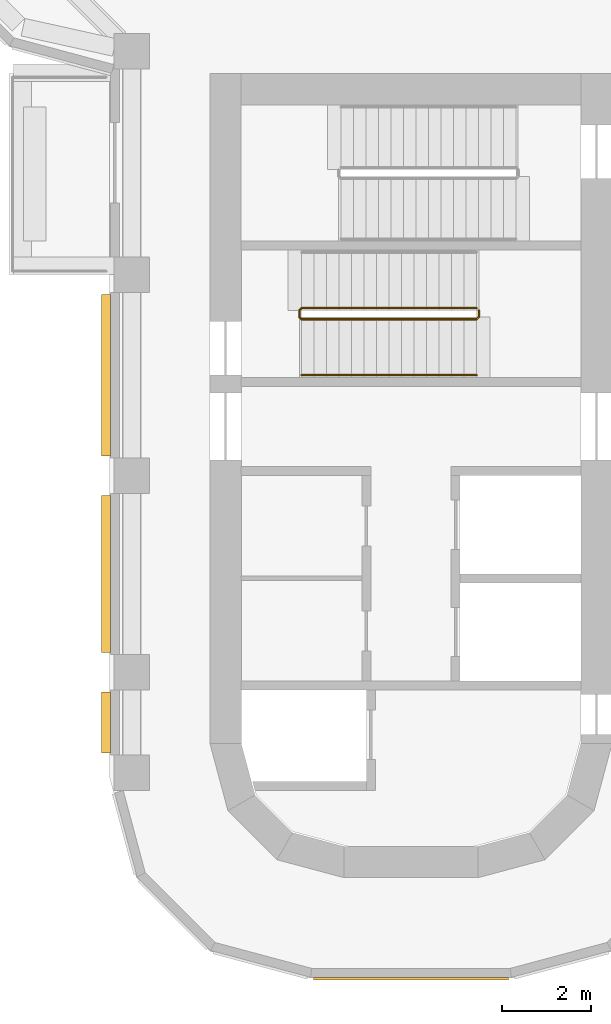
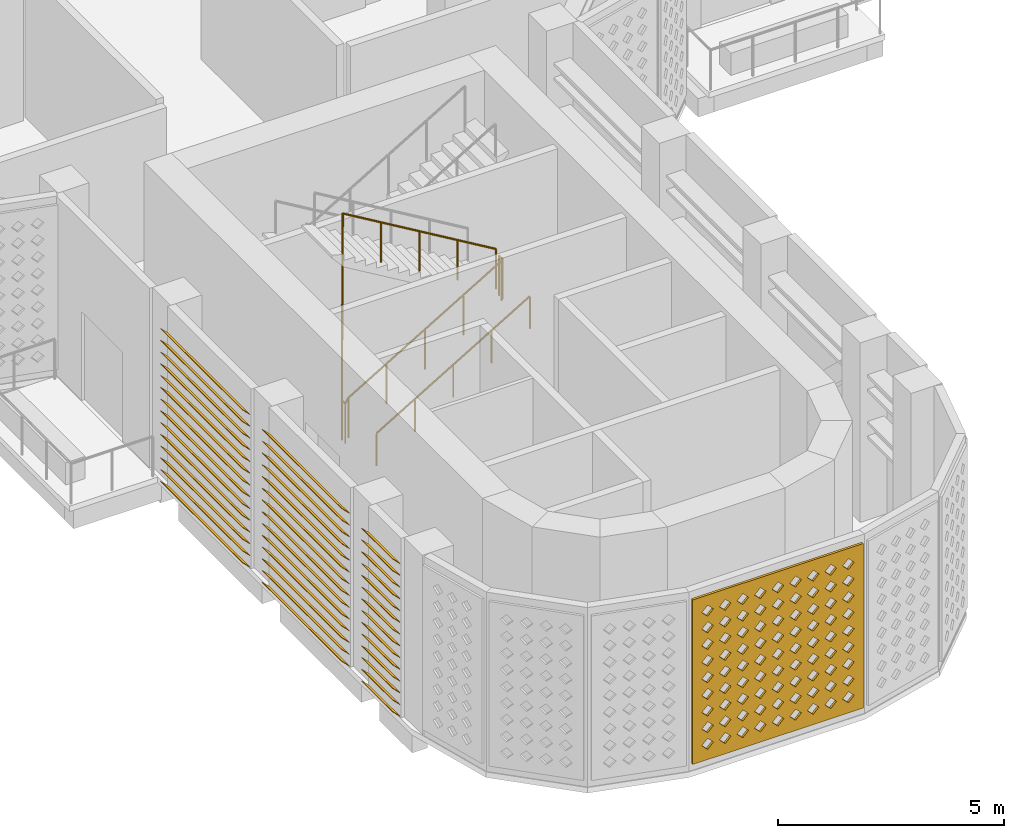
# One storey, part 10 of 21: 3 shading devices, 2 railings, 1 covering.
"""IFC4 building model written with IfcOpenShell, lengths in metres."""

from ifc_helpers import new_model, si_unit, direction, frame, origin, origin_2d, place, context, subcontext, project, spatial, polyline, circle, outline, extrude, source, transform, mapped, material, layer, layer_set, type_object, element, save


model = new_model("IFC4")

# Units and contexts
model_context = context("Model", 3, precision=1e-05, world=origin(), true_north=direction((0.0, 1.0)))
body_context = subcontext(model_context, "Body", "Model", "MODEL_VIEW")
ifc_project = project(units=[si_unit("LENGTHUNIT", "METRE"), si_unit("AREAUNIT", "SQUARE_METRE"), si_unit("VOLUMEUNIT", "CUBIC_METRE"), si_unit("PLANEANGLEUNIT", "RADIAN"), si_unit("MASSUNIT", "GRAM", prefix="KILO")], contexts=[model_context])

# Site, building, storey
site_placement = place(None, origin())
site = spatial("IfcSite", under=ifc_project, at=site_placement, CompositionType="ELEMENT")
building_placement = place(site_placement, origin())
building = spatial("IfcBuilding", under=site, at=building_placement, Name="Zarbagh Exchange Tower", CompositionType="ELEMENT")
storey_placement = place(building_placement, frame((0.0, 0.0, 190.39990234375)))
storey = spatial("IfcBuildingStorey", under=building, at=storey_placement, Name="L46", CompositionType="ELEMENT", Elevation=190.39990234375)

# Railings
ifc_material_1 = material(Name="Stainless steel", Category="steel")
railing_type_1 = type_object("IfcRailingType", Name="Stair guard 1100 mm", PredefinedType="GUARDRAIL", material=ifc_material_1)
railing_1_placement = place(storey_placement, frame((1.469970703125, -16.5, 2.666748046875)))
element("IfcRailing", 1, at=railing_1_placement, inside=storey, type_object=railing_type_1, Name="ST3 stair guard 1", PredefinedType="GUARDRAIL", context=body_context, shape_type="SweptSolid", body=[
    extrude(circle(Radius=0.02392578125, at=origin_2d()), frame((0.0, 0.0, 1.076171875), z_axis=(-0.859296244711, 0.0, 0.511478214419), x_axis=(0.0, -1.0, 0.0)), (0.0, 0.0, 1.0), 4.561767578125),
    extrude(circle(Radius=0.02392578125, at=origin_2d()), frame((-3.919921875, 0.0, 3.4091796875), z_axis=(-0.010008762843, -0.010008762843, -0.999899819648), x_axis=(0.707106781187, -0.707106781187, 0.0)), (0.0, 0.0, 1.0), 5.00048828125),
    extrude(circle(Radius=0.02392578125, at=origin_2d()), frame((-3.969970703125, -0.050048828125, -1.5908203125), z_axis=(0.0, -1.0, 0.0), x_axis=(1.0, 0.0, 0.0)), (0.0, 0.0, 1.0), 0.14990234375),
    extrude(circle(Radius=0.02392578125, at=origin_2d()), frame((-3.969970703125, -0.199951171875, -1.5908203125), z_axis=(0.27628659633, -0.27628659633, 0.920506074601), x_axis=(0.707106781187, 0.707106781187, 0.0)), (0.0, 0.0, 1.0), 0.18115234375),
    extrude(circle(Radius=0.02392578125, at=origin_2d()), frame((-3.919921875, -0.25, -1.423828125), z_axis=(0.859296244711, 0.0, 0.511478214419), x_axis=(0.0, 1.0, 0.0)), (0.0, 0.0, 1.0), 4.561767578125),
    extrude(circle(Radius=0.02392578125, at=origin_2d()), frame((0.0, -0.25, 0.9091796875), z_axis=(0.707106781187, 0.707106781187, 0.0), x_axis=(-0.707106781187, 0.707106781187, 0.0)), (0.0, 0.0, 1.0), 0.07080078125),
    extrude(circle(Radius=0.02392578125, at=origin_2d()), frame((0.050048828125, -0.199951171875, 0.9091796875), z_axis=(0.0, 1.0, 0.0), x_axis=(-1.0, 0.0, 0.0)), (0.0, 0.0, 1.0), 0.14990234375),
    extrude(circle(Radius=0.02099609375, at=origin_2d()), origin(), (0.0, 0.0, 1.0), 1.052001953125),
    extrude(circle(Radius=0.02099609375, at=origin_2d()), frame((-0.97998046875, 0.0, 0.583251953125)), (0.0, 0.0, 1.0), 1.052001953125),
    extrude(circle(Radius=0.02099609375, at=origin_2d()), frame((-1.9599609375, 0.0, 1.16650390625)), (0.0, 0.0, 1.0), 1.052001953125),
    extrude(circle(Radius=0.02099609375, at=origin_2d()), frame((-2.93994140625, 0.0, 1.75)), (0.0, 0.0, 1.0), 1.052001953125),
    extrude(circle(Radius=0.02099609375, at=origin_2d()), frame((-3.919921875, 0.0, 2.333251953125)), (0.0, 0.0, 1.0), 1.052001953125),
    extrude(circle(Radius=0.02099609375, at=origin_2d()), frame((-3.929931640625, -0.010009765625, 1.333251953125)), (0.0, 0.0, 1.0), 1.052001953125),
    extrude(circle(Radius=0.02099609375, at=origin_2d()), frame((-3.93994140625, -0.02001953125, 0.333251953125)), (0.0, 0.0, 1.0), 1.052001953125),
    extrude(circle(Radius=0.02099609375, at=origin_2d()), frame((-3.949951171875, -0.030029296875, -0.666748046875)), (0.0, 0.0, 1.0), 1.052001953125),
    extrude(circle(Radius=0.02099609375, at=origin_2d()), frame((-3.9599609375, -0.0400390625, -1.666748046875)), (0.0, 0.0, 1.0), 1.052001953125),
    extrude(circle(Radius=0.02099609375, at=origin_2d()), frame((-3.969970703125, -0.050048828125, -2.666748046875)), (0.0, 0.0, 1.0), 1.052001953125),
    extrude(circle(Radius=0.02099609375, at=origin_2d()), frame((-3.969970703125, -0.199951171875, -2.666748046875)), (0.0, 0.0, 1.0), 1.052001953125),
    extrude(circle(Radius=0.02099609375, at=origin_2d()), frame((-3.919921875, -0.25, -2.5)), (0.0, 0.0, 1.0), 1.052001953125),
    extrude(circle(Radius=0.02099609375, at=origin_2d()), frame((-2.93994140625, -0.25, -1.916748046875)), (0.0, 0.0, 1.0), 1.052001953125),
    extrude(circle(Radius=0.02099609375, at=origin_2d()), frame((-1.9599609375, -0.25, -1.33349609375)), (0.0, 0.0, 1.0), 1.052001953125),
    extrude(circle(Radius=0.02099609375, at=origin_2d()), frame((-0.97998046875, -0.25, -0.75)), (0.0, 0.0, 1.0), 1.052001953125),
    extrude(circle(Radius=0.02099609375, at=origin_2d()), frame((0.0, -0.25, -0.166748046875)), (0.0, 0.0, 1.0), 1.052001953125),
    extrude(circle(Radius=0.02099609375, at=origin_2d()), frame((0.050048828125, -0.199951171875, -0.166748046875)), (0.0, 0.0, 1.0), 1.052001953125),
    extrude(circle(Radius=0.02099609375, at=origin_2d()), frame((0.050048828125, -0.050048828125, -0.166748046875)), (0.0, 0.0, 1.0), 1.052001953125),
])
railing_type_2 = type_object("IfcRailingType", Name="Stair handrail 900 mm", PredefinedType="HANDRAIL", material=ifc_material_1)
railing_2_placement = place(storey_placement, frame((-2.449951171875, -18.0, 0.166748046875)))
element("IfcRailing", 2, at=railing_2_placement, inside=storey, type_object=railing_type_2, Name="ST3 stair handrail 1", PredefinedType="HANDRAIL", context=body_context, shape_type="SweptSolid", body=[
    extrude(circle(Radius=0.02392578125, at=origin_2d()), frame((0.0, 0.0, 0.8759765625), z_axis=(0.859296244711, 0.0, 0.511478214419), x_axis=(0.0, 1.0, 0.0)), (0.0, 0.0, 1.0), 4.561767578125),
    extrude(circle(Radius=0.02099609375, at=origin_2d()), origin(), (0.0, 0.0, 1.0), 0.851806640625),
    extrude(circle(Radius=0.02099609375, at=origin_2d()), frame((0.97998046875, 0.0, 0.583251953125)), (0.0, 0.0, 1.0), 0.851806640625),
    extrude(circle(Radius=0.02099609375, at=origin_2d()), frame((1.9599609375, 0.0, 1.16650390625)), (0.0, 0.0, 1.0), 0.851806640625),
    extrude(circle(Radius=0.02099609375, at=origin_2d()), frame((2.93994140625, 0.0, 1.75)), (0.0, 0.0, 1.0), 0.851806640625),
    extrude(circle(Radius=0.02099609375, at=origin_2d()), frame((3.919921875, 0.0, 2.333251953125)), (0.0, 0.0, 1.0), 0.851806640625),
])

# Shading device
ifc_material_2 = material(Name="Anodised aluminium", Category="aluminium")
shading_device_type = type_object("IfcShadingDeviceType", Name="LOUVRE plant louvre, fixed blades", PredefinedType="USERDEFINED", material=ifc_material_2)
shared_shape_1 = source(origin(), body_context, "Body", "SweptSolid", [
    extrude(outline(polyline([(0.0, 0.199951171875), (0.199951171875, 0.0), (0.199951171875, -0.02001953125), (0.0, 0.179931640625), (0.0, 0.199951171875)])), origin(), (0.0, 0.0, 1.0), 3.52001953125),
])
placement = place(storey_placement, origin())
element("IfcShadingDevice", 3, at=placement, inside=storey, type_object=shading_device_type, Name="LV16 plant louvre", ObjectType="LOUVRE", PredefinedType="USERDEFINED", context=body_context, shape_type="MappedRepresentation", body=[
    mapped(shared_shape_1, transform((-6.72998046875, -20.68994140625, 0.2001953125), x_axis=(-1.0, 0.0, 0.0), y_axis=(0.0, 0.0, -1.0), z_axis=(0.0, -1.0, 0.0))),
    mapped(shared_shape_1, transform((-6.72998046875, -20.68994140625, 0.51806640625), x_axis=(-1.0, 0.0, 0.0), y_axis=(0.0, 0.0, -1.0), z_axis=(0.0, -1.0, 0.0))),
    mapped(shared_shape_1, transform((-6.72998046875, -20.68994140625, 0.835693359375), x_axis=(-1.0, 0.0, 0.0), y_axis=(0.0, 0.0, -1.0), z_axis=(0.0, -1.0, 0.0))),
    mapped(shared_shape_1, transform((-6.72998046875, -20.68994140625, 1.153564453125), x_axis=(-1.0, 0.0, 0.0), y_axis=(0.0, 0.0, -1.0), z_axis=(0.0, -1.0, 0.0))),
    mapped(shared_shape_1, transform((-6.72998046875, -20.68994140625, 1.471435546875), x_axis=(-1.0, 0.0, 0.0), y_axis=(0.0, 0.0, -1.0), z_axis=(0.0, -1.0, 0.0))),
    mapped(shared_shape_1, transform((-6.72998046875, -20.68994140625, 1.789306640625), x_axis=(-1.0, 0.0, 0.0), y_axis=(0.0, 0.0, -1.0), z_axis=(0.0, -1.0, 0.0))),
    mapped(shared_shape_1, transform((-6.72998046875, -20.68994140625, 2.107177734375), x_axis=(-1.0, 0.0, 0.0), y_axis=(0.0, 0.0, -1.0), z_axis=(0.0, -1.0, 0.0))),
    mapped(shared_shape_1, transform((-6.72998046875, -20.68994140625, 2.425048828125), x_axis=(-1.0, 0.0, 0.0), y_axis=(0.0, 0.0, -1.0), z_axis=(0.0, -1.0, 0.0))),
    mapped(shared_shape_1, transform((-6.72998046875, -20.68994140625, 2.742919921875), x_axis=(-1.0, 0.0, 0.0), y_axis=(0.0, 0.0, -1.0), z_axis=(0.0, -1.0, 0.0))),
    mapped(shared_shape_1, transform((-6.72998046875, -20.68994140625, 3.060791015625), x_axis=(-1.0, 0.0, 0.0), y_axis=(0.0, 0.0, -1.0), z_axis=(0.0, -1.0, 0.0))),
    mapped(shared_shape_1, transform((-6.72998046875, -20.68994140625, 3.378662109375), x_axis=(-1.0, 0.0, 0.0), y_axis=(0.0, 0.0, -1.0), z_axis=(0.0, -1.0, 0.0))),
    mapped(shared_shape_1, transform((-6.72998046875, -20.68994140625, 3.696533203125), x_axis=(-1.0, 0.0, 0.0), y_axis=(0.0, 0.0, -1.0), z_axis=(0.0, -1.0, 0.0))),
    mapped(shared_shape_1, transform((-6.72998046875, -20.68994140625, 4.014404296875), x_axis=(-1.0, 0.0, 0.0), y_axis=(0.0, 0.0, -1.0), z_axis=(0.0, -1.0, 0.0))),
    mapped(shared_shape_1, transform((-6.72998046875, -20.68994140625, 4.332275390625), x_axis=(-1.0, 0.0, 0.0), y_axis=(0.0, 0.0, -1.0), z_axis=(0.0, -1.0, 0.0))),
])

# Covering
ifc_material_3 = material(Name="Glass-fibre reinforced concrete GFRC C50/60", Category="concrete")
ifc_layer = layer(ifc_material_3, 0.06005859375)
ifc_layer_set = layer_set([ifc_layer], Name="SCREEN jali panel, GFRC")
covering_type = type_object("IfcCoveringType", Name="SCREEN jali panel, GFRC", PredefinedType="CLADDING", material=ifc_layer_set)
shared_shape_2 = source(origin(), body_context, "Body", "SweptSolid", [
    extrude(outline(polyline([(0.0, 0.0), (4.368408203125, 0.0), (4.368408203125, 4.449951171875), (0.0, 4.449951171875), (0.0, 0.0)]), holes=[polyline([(0.234130859375, 0.425048828125), (0.38427734375, 0.27490234375), (0.5341796875, 0.425048828125), (0.38427734375, 0.574951171875), (0.234130859375, 0.425048828125)]), polyline([(0.234130859375, 0.875), (0.38427734375, 0.72509765625), (0.5341796875, 0.875), (0.38427734375, 1.02490234375), (0.234130859375, 0.875)]), polyline([(0.234130859375, 1.324951171875), (0.38427734375, 1.175048828125), (0.5341796875, 1.324951171875), (0.38427734375, 1.47509765625), (0.234130859375, 1.324951171875)]), polyline([(0.234130859375, 1.77490234375), (0.38427734375, 1.625), (0.5341796875, 1.77490234375), (0.38427734375, 1.925048828125), (0.234130859375, 1.77490234375)]), polyline([(0.234130859375, 2.22509765625), (0.38427734375, 2.074951171875), (0.5341796875, 2.22509765625), (0.38427734375, 2.375), (0.234130859375, 2.22509765625)]), polyline([(0.234130859375, 2.675048828125), (0.38427734375, 2.52490234375), (0.5341796875, 2.675048828125), (0.38427734375, 2.824951171875), (0.234130859375, 2.675048828125)]), polyline([(0.234130859375, 3.125), (0.38427734375, 2.97509765625), (0.5341796875, 3.125), (0.38427734375, 3.27490234375), (0.234130859375, 3.125)]), polyline([(0.234130859375, 3.574951171875), (0.38427734375, 3.425048828125), (0.5341796875, 3.574951171875), (0.38427734375, 3.72509765625), (0.234130859375, 3.574951171875)]), polyline([(0.234130859375, 4.02490234375), (0.38427734375, 3.875), (0.5341796875, 4.02490234375), (0.38427734375, 4.175048828125), (0.234130859375, 4.02490234375)]), polyline([(0.68408203125, 0.425048828125), (0.834228515625, 0.27490234375), (0.984130859375, 0.425048828125), (0.834228515625, 0.574951171875), (0.68408203125, 0.425048828125)]), polyline([(0.68408203125, 0.875), (0.834228515625, 0.72509765625), (0.984130859375, 0.875), (0.834228515625, 1.02490234375), (0.68408203125, 0.875)]), polyline([(0.68408203125, 1.324951171875), (0.834228515625, 1.175048828125), (0.984130859375, 1.324951171875), (0.834228515625, 1.47509765625), (0.68408203125, 1.324951171875)]), polyline([(0.68408203125, 1.77490234375), (0.834228515625, 1.625), (0.984130859375, 1.77490234375), (0.834228515625, 1.925048828125), (0.68408203125, 1.77490234375)]), polyline([(0.68408203125, 2.22509765625), (0.834228515625, 2.074951171875), (0.984130859375, 2.22509765625), (0.834228515625, 2.375), (0.68408203125, 2.22509765625)]), polyline([(0.68408203125, 2.675048828125), (0.834228515625, 2.52490234375), (0.984130859375, 2.675048828125), (0.834228515625, 2.824951171875), (0.68408203125, 2.675048828125)]), polyline([(0.68408203125, 3.125), (0.834228515625, 2.97509765625), (0.984130859375, 3.125), (0.834228515625, 3.27490234375), (0.68408203125, 3.125)]), polyline([(0.68408203125, 3.574951171875), (0.834228515625, 3.425048828125), (0.984130859375, 3.574951171875), (0.834228515625, 3.72509765625), (0.68408203125, 3.574951171875)]), polyline([(0.68408203125, 4.02490234375), (0.834228515625, 3.875), (0.984130859375, 4.02490234375), (0.834228515625, 4.175048828125), (0.68408203125, 4.02490234375)]), polyline([(1.13427734375, 0.425048828125), (1.2841796875, 0.27490234375), (1.43408203125, 0.425048828125), (1.2841796875, 0.574951171875), (1.13427734375, 0.425048828125)]), polyline([(1.13427734375, 0.875), (1.2841796875, 0.72509765625), (1.43408203125, 0.875), (1.2841796875, 1.02490234375), (1.13427734375, 0.875)]), polyline([(1.13427734375, 1.324951171875), (1.2841796875, 1.175048828125), (1.43408203125, 1.324951171875), (1.2841796875, 1.47509765625), (1.13427734375, 1.324951171875)]), polyline([(1.13427734375, 1.77490234375), (1.2841796875, 1.625), (1.43408203125, 1.77490234375), (1.2841796875, 1.925048828125), (1.13427734375, 1.77490234375)]), polyline([(1.13427734375, 2.22509765625), (1.2841796875, 2.074951171875), (1.43408203125, 2.22509765625), (1.2841796875, 2.375), (1.13427734375, 2.22509765625)]), polyline([(1.13427734375, 2.675048828125), (1.2841796875, 2.52490234375), (1.43408203125, 2.675048828125), (1.2841796875, 2.824951171875), (1.13427734375, 2.675048828125)]), polyline([(1.13427734375, 3.125), (1.2841796875, 2.97509765625), (1.43408203125, 3.125), (1.2841796875, 3.27490234375), (1.13427734375, 3.125)]), polyline([(1.13427734375, 3.574951171875), (1.2841796875, 3.425048828125), (1.43408203125, 3.574951171875), (1.2841796875, 3.72509765625), (1.13427734375, 3.574951171875)]), polyline([(1.13427734375, 4.02490234375), (1.2841796875, 3.875), (1.43408203125, 4.02490234375), (1.2841796875, 4.175048828125), (1.13427734375, 4.02490234375)]), polyline([(1.584228515625, 0.425048828125), (1.734130859375, 0.27490234375), (1.88427734375, 0.425048828125), (1.734130859375, 0.574951171875), (1.584228515625, 0.425048828125)]), polyline([(1.584228515625, 0.875), (1.734130859375, 0.72509765625), (1.88427734375, 0.875), (1.734130859375, 1.02490234375), (1.584228515625, 0.875)]), polyline([(1.584228515625, 1.324951171875), (1.734130859375, 1.175048828125), (1.88427734375, 1.324951171875), (1.734130859375, 1.47509765625), (1.584228515625, 1.324951171875)]), polyline([(1.584228515625, 1.77490234375), (1.734130859375, 1.625), (1.88427734375, 1.77490234375), (1.734130859375, 1.925048828125), (1.584228515625, 1.77490234375)]), polyline([(1.584228515625, 2.22509765625), (1.734130859375, 2.074951171875), (1.88427734375, 2.22509765625), (1.734130859375, 2.375), (1.584228515625, 2.22509765625)]), polyline([(1.584228515625, 2.675048828125), (1.734130859375, 2.52490234375), (1.88427734375, 2.675048828125), (1.734130859375, 2.824951171875), (1.584228515625, 2.675048828125)]), polyline([(1.584228515625, 3.125), (1.734130859375, 2.97509765625), (1.88427734375, 3.125), (1.734130859375, 3.27490234375), (1.584228515625, 3.125)]), polyline([(1.584228515625, 3.574951171875), (1.734130859375, 3.425048828125), (1.88427734375, 3.574951171875), (1.734130859375, 3.72509765625), (1.584228515625, 3.574951171875)]), polyline([(1.584228515625, 4.02490234375), (1.734130859375, 3.875), (1.88427734375, 4.02490234375), (1.734130859375, 4.175048828125), (1.584228515625, 4.02490234375)]), polyline([(2.0341796875, 0.425048828125), (2.18408203125, 0.27490234375), (2.334228515625, 0.425048828125), (2.18408203125, 0.574951171875), (2.0341796875, 0.425048828125)]), polyline([(2.0341796875, 0.875), (2.18408203125, 0.72509765625), (2.334228515625, 0.875), (2.18408203125, 1.02490234375), (2.0341796875, 0.875)]), polyline([(2.0341796875, 1.324951171875), (2.18408203125, 1.175048828125), (2.334228515625, 1.324951171875), (2.18408203125, 1.47509765625), (2.0341796875, 1.324951171875)]), polyline([(2.0341796875, 1.77490234375), (2.18408203125, 1.625), (2.334228515625, 1.77490234375), (2.18408203125, 1.925048828125), (2.0341796875, 1.77490234375)]), polyline([(2.0341796875, 2.22509765625), (2.18408203125, 2.074951171875), (2.334228515625, 2.22509765625), (2.18408203125, 2.375), (2.0341796875, 2.22509765625)]), polyline([(2.0341796875, 2.675048828125), (2.18408203125, 2.52490234375), (2.334228515625, 2.675048828125), (2.18408203125, 2.824951171875), (2.0341796875, 2.675048828125)]), polyline([(2.0341796875, 3.125), (2.18408203125, 2.97509765625), (2.334228515625, 3.125), (2.18408203125, 3.27490234375), (2.0341796875, 3.125)]), polyline([(2.0341796875, 3.574951171875), (2.18408203125, 3.425048828125), (2.334228515625, 3.574951171875), (2.18408203125, 3.72509765625), (2.0341796875, 3.574951171875)]), polyline([(2.0341796875, 4.02490234375), (2.18408203125, 3.875), (2.334228515625, 4.02490234375), (2.18408203125, 4.175048828125), (2.0341796875, 4.02490234375)]), polyline([(2.484130859375, 0.425048828125), (2.63427734375, 0.27490234375), (2.7841796875, 0.425048828125), (2.63427734375, 0.574951171875), (2.484130859375, 0.425048828125)]), polyline([(2.484130859375, 0.875), (2.63427734375, 0.72509765625), (2.7841796875, 0.875), (2.63427734375, 1.02490234375), (2.484130859375, 0.875)]), polyline([(2.484130859375, 1.324951171875), (2.63427734375, 1.175048828125), (2.7841796875, 1.324951171875), (2.63427734375, 1.47509765625), (2.484130859375, 1.324951171875)]), polyline([(2.484130859375, 1.77490234375), (2.63427734375, 1.625), (2.7841796875, 1.77490234375), (2.63427734375, 1.925048828125), (2.484130859375, 1.77490234375)]), polyline([(2.484130859375, 2.22509765625), (2.63427734375, 2.074951171875), (2.7841796875, 2.22509765625), (2.63427734375, 2.375), (2.484130859375, 2.22509765625)]), polyline([(2.484130859375, 2.675048828125), (2.63427734375, 2.52490234375), (2.7841796875, 2.675048828125), (2.63427734375, 2.824951171875), (2.484130859375, 2.675048828125)]), polyline([(2.484130859375, 3.125), (2.63427734375, 2.97509765625), (2.7841796875, 3.125), (2.63427734375, 3.27490234375), (2.484130859375, 3.125)]), polyline([(2.484130859375, 3.574951171875), (2.63427734375, 3.425048828125), (2.7841796875, 3.574951171875), (2.63427734375, 3.72509765625), (2.484130859375, 3.574951171875)]), polyline([(2.484130859375, 4.02490234375), (2.63427734375, 3.875), (2.7841796875, 4.02490234375), (2.63427734375, 4.175048828125), (2.484130859375, 4.02490234375)]), polyline([(2.93408203125, 0.425048828125), (3.084228515625, 0.27490234375), (3.234130859375, 0.425048828125), (3.084228515625, 0.574951171875), (2.93408203125, 0.425048828125)]), polyline([(2.93408203125, 0.875), (3.084228515625, 0.72509765625), (3.234130859375, 0.875), (3.084228515625, 1.02490234375), (2.93408203125, 0.875)]), polyline([(2.93408203125, 1.324951171875), (3.084228515625, 1.175048828125), (3.234130859375, 1.324951171875), (3.084228515625, 1.47509765625), (2.93408203125, 1.324951171875)]), polyline([(2.93408203125, 1.77490234375), (3.084228515625, 1.625), (3.234130859375, 1.77490234375), (3.084228515625, 1.925048828125), (2.93408203125, 1.77490234375)]), polyline([(2.93408203125, 2.22509765625), (3.084228515625, 2.074951171875), (3.234130859375, 2.22509765625), (3.084228515625, 2.375), (2.93408203125, 2.22509765625)]), polyline([(2.93408203125, 2.675048828125), (3.084228515625, 2.52490234375), (3.234130859375, 2.675048828125), (3.084228515625, 2.824951171875), (2.93408203125, 2.675048828125)]), polyline([(2.93408203125, 3.125), (3.084228515625, 2.97509765625), (3.234130859375, 3.125), (3.084228515625, 3.27490234375), (2.93408203125, 3.125)]), polyline([(2.93408203125, 3.574951171875), (3.084228515625, 3.425048828125), (3.234130859375, 3.574951171875), (3.084228515625, 3.72509765625), (2.93408203125, 3.574951171875)]), polyline([(2.93408203125, 4.02490234375), (3.084228515625, 3.875), (3.234130859375, 4.02490234375), (3.084228515625, 4.175048828125), (2.93408203125, 4.02490234375)]), polyline([(3.38427734375, 0.425048828125), (3.5341796875, 0.27490234375), (3.68408203125, 0.425048828125), (3.5341796875, 0.574951171875), (3.38427734375, 0.425048828125)]), polyline([(3.38427734375, 0.875), (3.5341796875, 0.72509765625), (3.68408203125, 0.875), (3.5341796875, 1.02490234375), (3.38427734375, 0.875)]), polyline([(3.38427734375, 1.324951171875), (3.5341796875, 1.175048828125), (3.68408203125, 1.324951171875), (3.5341796875, 1.47509765625), (3.38427734375, 1.324951171875)]), polyline([(3.38427734375, 1.77490234375), (3.5341796875, 1.625), (3.68408203125, 1.77490234375), (3.5341796875, 1.925048828125), (3.38427734375, 1.77490234375)]), polyline([(3.38427734375, 2.22509765625), (3.5341796875, 2.074951171875), (3.68408203125, 2.22509765625), (3.5341796875, 2.375), (3.38427734375, 2.22509765625)]), polyline([(3.38427734375, 2.675048828125), (3.5341796875, 2.52490234375), (3.68408203125, 2.675048828125), (3.5341796875, 2.824951171875), (3.38427734375, 2.675048828125)]), polyline([(3.38427734375, 3.125), (3.5341796875, 2.97509765625), (3.68408203125, 3.125), (3.5341796875, 3.27490234375), (3.38427734375, 3.125)]), polyline([(3.38427734375, 3.574951171875), (3.5341796875, 3.425048828125), (3.68408203125, 3.574951171875), (3.5341796875, 3.72509765625), (3.38427734375, 3.574951171875)]), polyline([(3.38427734375, 4.02490234375), (3.5341796875, 3.875), (3.68408203125, 4.02490234375), (3.5341796875, 4.175048828125), (3.38427734375, 4.02490234375)]), polyline([(3.834228515625, 0.425048828125), (3.984130859375, 0.27490234375), (4.13427734375, 0.425048828125), (3.984130859375, 0.574951171875), (3.834228515625, 0.425048828125)]), polyline([(3.834228515625, 0.875), (3.984130859375, 0.72509765625), (4.13427734375, 0.875), (3.984130859375, 1.02490234375), (3.834228515625, 0.875)]), polyline([(3.834228515625, 1.324951171875), (3.984130859375, 1.175048828125), (4.13427734375, 1.324951171875), (3.984130859375, 1.47509765625), (3.834228515625, 1.324951171875)]), polyline([(3.834228515625, 1.77490234375), (3.984130859375, 1.625), (4.13427734375, 1.77490234375), (3.984130859375, 1.925048828125), (3.834228515625, 1.77490234375)]), polyline([(3.834228515625, 2.22509765625), (3.984130859375, 2.074951171875), (4.13427734375, 2.22509765625), (3.984130859375, 2.375), (3.834228515625, 2.22509765625)]), polyline([(3.834228515625, 2.675048828125), (3.984130859375, 2.52490234375), (4.13427734375, 2.675048828125), (3.984130859375, 2.824951171875), (3.834228515625, 2.675048828125)]), polyline([(3.834228515625, 3.125), (3.984130859375, 2.97509765625), (4.13427734375, 3.125), (3.984130859375, 3.27490234375), (3.834228515625, 3.125)]), polyline([(3.834228515625, 3.574951171875), (3.984130859375, 3.425048828125), (4.13427734375, 3.574951171875), (3.984130859375, 3.72509765625), (3.834228515625, 3.574951171875)]), polyline([(3.834228515625, 4.02490234375), (3.984130859375, 3.875), (4.13427734375, 4.02490234375), (3.984130859375, 4.175048828125), (3.834228515625, 4.02490234375)])]), origin(), (0.0, 0.0, 1.0), 0.06005859375),
])
element("IfcCovering", 4, at=placement, inside=storey, type_object=covering_type, Name="JS68 jali screen", PredefinedType="CLADDING", context=body_context, shape_type="MappedRepresentation", body=[
    mapped(shared_shape_2, transform((-2.18408203125, -31.47998046875, 0.2001953125), x_axis=(1.0, 0.0, 0.0), y_axis=(0.0, 0.0, 1.0), z_axis=(0.0, -1.0, 0.0))),
])

# Shading devices
shared_shape_3 = source(origin(), body_context, "Body", "SweptSolid", [
    extrude(outline(polyline([(0.0, 0.199951171875), (0.199951171875, 0.0), (0.199951171875, -0.02001953125), (0.0, 0.179931640625), (0.0, 0.199951171875)])), origin(), (0.0, 0.0, 1.0), 1.3701171875),
])
element("IfcShadingDevice", 5, at=placement, inside=storey, type_object=shading_device_type, Name="LV16 plant louvre", ObjectType="LOUVRE", PredefinedType="USERDEFINED", context=body_context, shape_type="MappedRepresentation", body=[
    mapped(shared_shape_3, transform((-6.72998046875, -25.090087890625, 0.2001953125), x_axis=(-1.0, 0.0, 0.0), y_axis=(0.0, 0.0, -1.0), z_axis=(0.0, -1.0, 0.0))),
    mapped(shared_shape_3, transform((-6.72998046875, -25.090087890625, 0.51806640625), x_axis=(-1.0, 0.0, 0.0), y_axis=(0.0, 0.0, -1.0), z_axis=(0.0, -1.0, 0.0))),
    mapped(shared_shape_3, transform((-6.72998046875, -25.090087890625, 0.835693359375), x_axis=(-1.0, 0.0, 0.0), y_axis=(0.0, 0.0, -1.0), z_axis=(0.0, -1.0, 0.0))),
    mapped(shared_shape_3, transform((-6.72998046875, -25.090087890625, 1.153564453125), x_axis=(-1.0, 0.0, 0.0), y_axis=(0.0, 0.0, -1.0), z_axis=(0.0, -1.0, 0.0))),
    mapped(shared_shape_3, transform((-6.72998046875, -25.090087890625, 1.471435546875), x_axis=(-1.0, 0.0, 0.0), y_axis=(0.0, 0.0, -1.0), z_axis=(0.0, -1.0, 0.0))),
    mapped(shared_shape_3, transform((-6.72998046875, -25.090087890625, 1.789306640625), x_axis=(-1.0, 0.0, 0.0), y_axis=(0.0, 0.0, -1.0), z_axis=(0.0, -1.0, 0.0))),
    mapped(shared_shape_3, transform((-6.72998046875, -25.090087890625, 2.107177734375), x_axis=(-1.0, 0.0, 0.0), y_axis=(0.0, 0.0, -1.0), z_axis=(0.0, -1.0, 0.0))),
    mapped(shared_shape_3, transform((-6.72998046875, -25.090087890625, 2.425048828125), x_axis=(-1.0, 0.0, 0.0), y_axis=(0.0, 0.0, -1.0), z_axis=(0.0, -1.0, 0.0))),
    mapped(shared_shape_3, transform((-6.72998046875, -25.090087890625, 2.742919921875), x_axis=(-1.0, 0.0, 0.0), y_axis=(0.0, 0.0, -1.0), z_axis=(0.0, -1.0, 0.0))),
    mapped(shared_shape_3, transform((-6.72998046875, -25.090087890625, 3.060791015625), x_axis=(-1.0, 0.0, 0.0), y_axis=(0.0, 0.0, -1.0), z_axis=(0.0, -1.0, 0.0))),
    mapped(shared_shape_3, transform((-6.72998046875, -25.090087890625, 3.378662109375), x_axis=(-1.0, 0.0, 0.0), y_axis=(0.0, 0.0, -1.0), z_axis=(0.0, -1.0, 0.0))),
    mapped(shared_shape_3, transform((-6.72998046875, -25.090087890625, 3.696533203125), x_axis=(-1.0, 0.0, 0.0), y_axis=(0.0, 0.0, -1.0), z_axis=(0.0, -1.0, 0.0))),
    mapped(shared_shape_3, transform((-6.72998046875, -25.090087890625, 4.014404296875), x_axis=(-1.0, 0.0, 0.0), y_axis=(0.0, 0.0, -1.0), z_axis=(0.0, -1.0, 0.0))),
    mapped(shared_shape_3, transform((-6.72998046875, -25.090087890625, 4.332275390625), x_axis=(-1.0, 0.0, 0.0), y_axis=(0.0, 0.0, -1.0), z_axis=(0.0, -1.0, 0.0))),
])
shared_shape_4 = source(origin(), body_context, "Body", "SweptSolid", [
    extrude(outline(polyline([(0.0, 0.199951171875), (0.199951171875, 0.0), (0.199951171875, -0.02001953125), (0.0, 0.179931640625), (0.0, 0.199951171875)])), origin(), (0.0, 0.0, 1.0), 3.6201171875),
])
element("IfcShadingDevice", 6, at=placement, inside=storey, type_object=shading_device_type, Name="LV16 plant louvre", ObjectType="LOUVRE", PredefinedType="USERDEFINED", context=body_context, shape_type="MappedRepresentation", body=[
    mapped(shared_shape_4, transform((-6.72998046875, -16.18994140625, 0.2001953125), x_axis=(-1.0, 0.0, 0.0), y_axis=(0.0, 0.0, -1.0), z_axis=(0.0, -1.0, 0.0))),
    mapped(shared_shape_4, transform((-6.72998046875, -16.18994140625, 0.51806640625), x_axis=(-1.0, 0.0, 0.0), y_axis=(0.0, 0.0, -1.0), z_axis=(0.0, -1.0, 0.0))),
    mapped(shared_shape_4, transform((-6.72998046875, -16.18994140625, 0.835693359375), x_axis=(-1.0, 0.0, 0.0), y_axis=(0.0, 0.0, -1.0), z_axis=(0.0, -1.0, 0.0))),
    mapped(shared_shape_4, transform((-6.72998046875, -16.18994140625, 1.153564453125), x_axis=(-1.0, 0.0, 0.0), y_axis=(0.0, 0.0, -1.0), z_axis=(0.0, -1.0, 0.0))),
    mapped(shared_shape_4, transform((-6.72998046875, -16.18994140625, 1.471435546875), x_axis=(-1.0, 0.0, 0.0), y_axis=(0.0, 0.0, -1.0), z_axis=(0.0, -1.0, 0.0))),
    mapped(shared_shape_4, transform((-6.72998046875, -16.18994140625, 1.789306640625), x_axis=(-1.0, 0.0, 0.0), y_axis=(0.0, 0.0, -1.0), z_axis=(0.0, -1.0, 0.0))),
    mapped(shared_shape_4, transform((-6.72998046875, -16.18994140625, 2.107177734375), x_axis=(-1.0, 0.0, 0.0), y_axis=(0.0, 0.0, -1.0), z_axis=(0.0, -1.0, 0.0))),
    mapped(shared_shape_4, transform((-6.72998046875, -16.18994140625, 2.425048828125), x_axis=(-1.0, 0.0, 0.0), y_axis=(0.0, 0.0, -1.0), z_axis=(0.0, -1.0, 0.0))),
    mapped(shared_shape_4, transform((-6.72998046875, -16.18994140625, 2.742919921875), x_axis=(-1.0, 0.0, 0.0), y_axis=(0.0, 0.0, -1.0), z_axis=(0.0, -1.0, 0.0))),
    mapped(shared_shape_4, transform((-6.72998046875, -16.18994140625, 3.060791015625), x_axis=(-1.0, 0.0, 0.0), y_axis=(0.0, 0.0, -1.0), z_axis=(0.0, -1.0, 0.0))),
    mapped(shared_shape_4, transform((-6.72998046875, -16.18994140625, 3.378662109375), x_axis=(-1.0, 0.0, 0.0), y_axis=(0.0, 0.0, -1.0), z_axis=(0.0, -1.0, 0.0))),
    mapped(shared_shape_4, transform((-6.72998046875, -16.18994140625, 3.696533203125), x_axis=(-1.0, 0.0, 0.0), y_axis=(0.0, 0.0, -1.0), z_axis=(0.0, -1.0, 0.0))),
    mapped(shared_shape_4, transform((-6.72998046875, -16.18994140625, 4.014404296875), x_axis=(-1.0, 0.0, 0.0), y_axis=(0.0, 0.0, -1.0), z_axis=(0.0, -1.0, 0.0))),
    mapped(shared_shape_4, transform((-6.72998046875, -16.18994140625, 4.332275390625), x_axis=(-1.0, 0.0, 0.0), y_axis=(0.0, 0.0, -1.0), z_axis=(0.0, -1.0, 0.0))),
])

save(model, "model.ifc")
